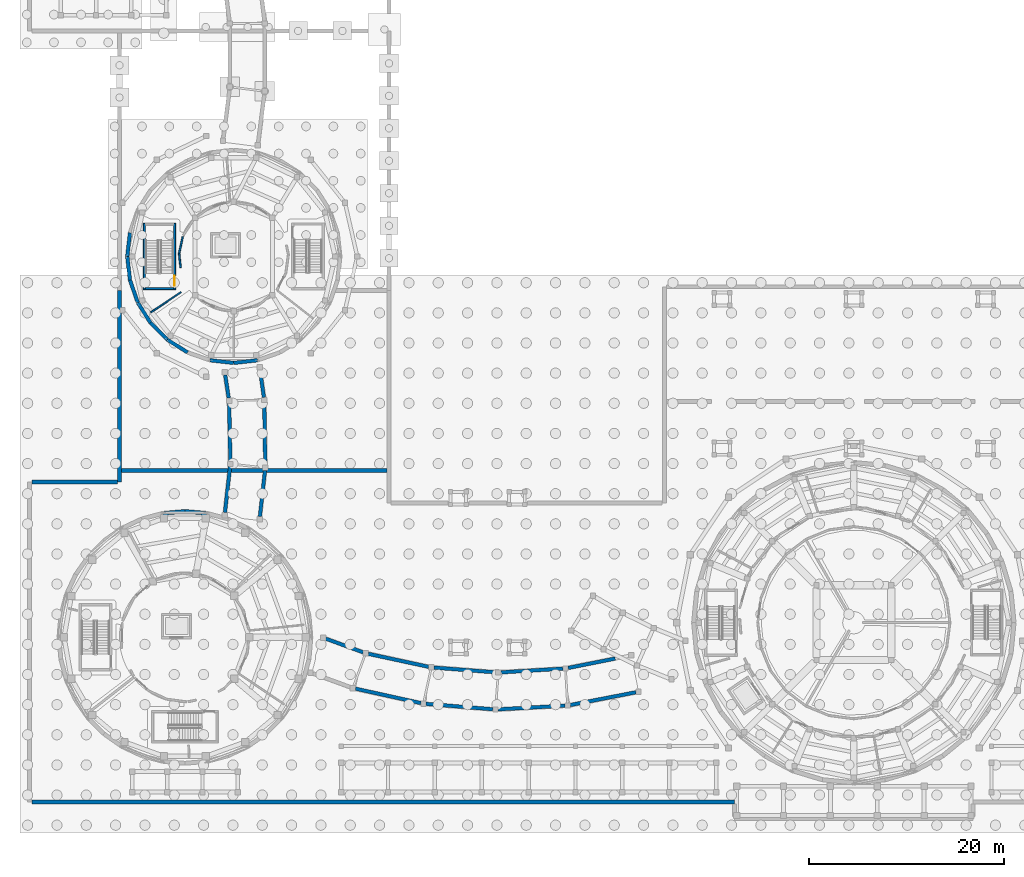
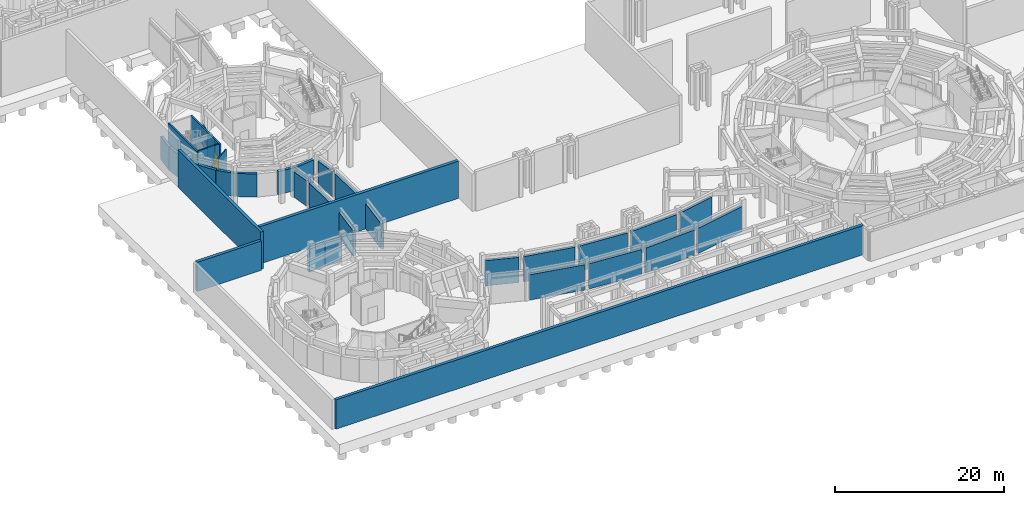
# One storey, part 37 of 57: 35 walls, 1 door, 1 opening.
"""IFC4 building model written with IfcOpenShell, lengths in metres."""

from ifc_helpers import new_model, si_unit, direction, frame, frame_2d, origin, place, context, subcontext, project, spatial, rectangle, extrude, material, layer, layer_set, type_object, element, fill, save


model = new_model("IFC4")

# Units and contexts
model_context = context("Model", 3, precision=1e-05, world=origin(), true_north=direction((0.0, 1.0)))
body_context = subcontext(model_context, "Body", "Model", "MODEL_VIEW")
ifc_project = project(units=[si_unit("LENGTHUNIT", "METRE"), si_unit("AREAUNIT", "SQUARE_METRE"), si_unit("VOLUMEUNIT", "CUBIC_METRE"), si_unit("PLANEANGLEUNIT", "RADIAN"), si_unit("MASSUNIT", "GRAM", prefix="KILO")], contexts=[model_context])

# Site, building, storey
site_placement = place(None, origin())
site = spatial("IfcSite", under=ifc_project, at=site_placement, CompositionType="ELEMENT")
building_placement = place(site_placement, origin())
building = spatial("IfcBuilding", under=site, at=building_placement, Name="Aldenvaro Health Centre", CompositionType="ELEMENT")
storey_placement = place(building_placement, frame((0.0, 0.0, -4.550048828125)))
storey = spatial("IfcBuildingStorey", under=building, at=storey_placement, Name="B1", CompositionType="ELEMENT", Elevation=-4.550048828125)

# Walls
ifc_material_1 = material(Name="Gypsum Stud Acoustic Assembly")
ifc_layer_1 = layer(ifc_material_1, 0.14501953125, Name="Gypsum Stud Acoustic Assembly")
ifc_layer_set_1 = layer_set([ifc_layer_1], Name="Gypsum Stud Acoustic Assembly")
wall_type_1 = type_object("IfcWallType", Name="WL-CLN-145", PredefinedType="PARTITIONING", material=ifc_layer_set_1)
wall_1_placement = place(storey_placement, frame((18.089111328125, 53.85009765625, 0.0), z_axis=(0.0, 0.0, 1.0), x_axis=(-0.828961502122, -0.559305665982, 0.0)))
element("IfcWall", 1, at=wall_1_placement, inside=storey, type_object=wall_type_1, Name="D3 B1 clinical partition 4.1", PredefinedType="PARTITIONING", context=body_context, shape_type="SweptSolid", body=[
    extrude(rectangle(XDim=3.712158203125, YDim=0.14501953125, at=frame_2d((1.85595703125, 0.0))), origin(), (0.0, 0.0, 1.0), 3.31005859375),
])
ifc_layer_2 = layer(ifc_material_1, 0.1650390625, Name="Gypsum Stud Acoustic Assembly")
ifc_layer_set_2 = layer_set([ifc_layer_2], Name="Gypsum Stud Acoustic Assembly")
wall_type_2 = type_object("IfcWallType", Name="WL-COR-165", PredefinedType="PARTITIONING", material=ifc_layer_set_2)
wall_2_placement = place(storey_placement, frame((18.277099609375, 59.52099609375, 0.0), z_axis=(0.0, 0.0, 1.0), x_axis=(-0.209500701014, -0.977808496729, 0.0)))
element("IfcWall", 2, at=wall_2_placement, inside=storey, type_object=wall_type_2, Name="D3 B1 corridor wall 03.1", PredefinedType="PARTITIONING", context=body_context, shape_type="SweptSolid", body=[
    extrude(rectangle(XDim=1.761962890625, YDim=0.1650390625, at=frame_2d((0.880859375, 0.0))), origin(), (0.0, 0.0, 1.0), 3.31005859375),
])
wall_3_placement = place(storey_placement, frame((17.907958984375, 57.798095703125, 0.0), z_axis=(0.0, 0.0, 1.0), x_axis=(0.10446656428, -0.994528399267, 0.0)))
element("IfcWall", 3, at=wall_3_placement, inside=storey, type_object=wall_type_2, Name="D3 B1 corridor wall 03.2", PredefinedType="PARTITIONING", context=body_context, shape_type="SweptSolid", body=[
    extrude(rectangle(XDim=1.4560546875, YDim=0.1650390625, at=frame_2d((0.72802734375, 0.0))), origin(), (0.0, 0.0, 1.0), 3.31005859375),
])
ifc_material_2 = material(Name="Concrete f'c 40 MPa", Category="concrete")
ifc_layer_3 = layer(ifc_material_2, 0.3701171875, Name="Concrete f'c 40 MPa", Category="concrete")
ifc_layer_set_3 = layer_set([ifc_layer_3], Name="Concrete f'c 40 MPa")
wall_type_3 = type_object("IfcWallType", Name="WL-RET-370", PredefinedType="USERDEFINED", material=ifc_layer_set_3)
for number, where, z_axis, x_axis, name in (
    (4, (25.925048828125, 46.873046875, 0.0), (0.0, 0.0, 1.0), (-0.993725340882, -0.111847873866, 0.0), "D3 B1 hillside retaining wall 07"),
    (5, (23.5, 46.60009765625, 0.0), (0.0, 0.0, 1.0), (-0.993725340882, 0.111847873866, 0.0), "D3 B1 hillside retaining wall 08"),
):
    element("IfcWall", number, at=place(storey_placement, frame(where, z_axis=z_axis, x_axis=x_axis)), inside=storey, type_object=wall_type_3, Name=name, ObjectType="RETAININGWALL", PredefinedType="USERDEFINED", context=body_context, shape_type="SweptSolid", body=[
        extrude(rectangle(XDim=2.4404296875, YDim=0.3701171875, at=frame_2d((1.22021484375, 0.0))), origin(), (0.0, 0.0, 1.0), 3.3349609375),
    ])
wall_4_placement = place(storey_placement, frame((18.77099609375, 47.678955078125, 0.0), z_axis=(0.0, 0.0, 1.0), x_axis=(-0.846658434148, 0.532136726684, 0.0)))
element("IfcWall", 6, at=wall_4_placement, inside=storey, type_object=wall_type_3, Name="D3 B1 hillside retaining wall 10", ObjectType="RETAININGWALL", PredefinedType="USERDEFINED", context=body_context, shape_type="SweptSolid", body=[
    extrude(rectangle(XDim=2.441162109375, YDim=0.3701171875, at=frame_2d((1.220703125, 0.0))), origin(), (0.0, 0.0, 1.0), 3.3349609375),
])
wall_5_placement = place(storey_placement, frame((16.7041015625, 48.97802734375, 0.0), z_axis=(0.0, 0.0, 1.0), x_axis=(-0.707106781187, 0.707106781187, 0.0)))
element("IfcWall", 7, at=wall_5_placement, inside=storey, type_object=wall_type_3, Name="D3 B1 hillside retaining wall 11", ObjectType="RETAININGWALL", PredefinedType="USERDEFINED", context=body_context, shape_type="SweptSolid", body=[
    extrude(rectangle(XDim=2.44091796875, YDim=0.3701171875, at=frame_2d((1.220458984375, 0.0))), origin(), (0.0, 0.0, 1.0), 3.3349609375),
])
wall_6_placement = place(storey_placement, frame((14.97802734375, 50.7041015625, 0.0), z_axis=(0.0, 0.0, 1.0), x_axis=(-0.532136726684, 0.846658434148, 0.0)))
element("IfcWall", 8, at=wall_6_placement, inside=storey, type_object=wall_type_3, Name="D3 B1 hillside retaining wall 12", ObjectType="RETAININGWALL", PredefinedType="USERDEFINED", context=body_context, shape_type="SweptSolid", body=[
    extrude(rectangle(XDim=2.441162109375, YDim=0.3701171875, at=frame_2d((1.220703125, 0.0))), origin(), (0.0, 0.0, 1.0), 3.3349609375),
])
wall_7_placement = place(storey_placement, frame((13.678955078125, 52.77099609375, 0.0), z_axis=(0.0, 0.0, 1.0), x_axis=(-0.330176659411, 0.943919156274, 0.0)))
element("IfcWall", 9, at=wall_7_placement, inside=storey, type_object=wall_type_3, Name="D3 B1 hillside retaining wall 13", ObjectType="RETAININGWALL", PredefinedType="USERDEFINED", context=body_context, shape_type="SweptSolid", body=[
    extrude(rectangle(XDim=2.44091796875, YDim=0.3701171875, at=frame_2d((1.220458984375, 0.0))), origin(), (0.0, 0.0, 1.0), 3.3349609375),
])
for number, where, z_axis, x_axis, name in (
    (10, (12.873046875, 55.074951171875, 0.0), (0.0, 0.0, 1.0), (-0.111847873866, 0.993725340882, 0.0), "D3 B1 hillside retaining wall 14"),
    (11, (12.60009765625, 57.5, 0.0), (0.0, 0.0, 1.0), (0.111847873866, 0.993725340882, 0.0), "D3 B1 hillside retaining wall 15"),
):
    element("IfcWall", number, at=place(storey_placement, frame(where, z_axis=z_axis, x_axis=x_axis)), inside=storey, type_object=wall_type_3, Name=name, ObjectType="RETAININGWALL", PredefinedType="USERDEFINED", context=body_context, shape_type="SweptSolid", body=[
        extrude(rectangle(XDim=2.4404296875, YDim=0.3701171875, at=frame_2d((1.22021484375, 0.0))), origin(), (0.0, 0.0, 1.0), 3.3349609375),
    ])
wall_8_placement = place(storey_placement, frame((22.60302734375, 31.300048828125, 0.0), z_axis=(0.0, 0.0, 1.0), x_axis=(0.110573700881, 0.993867927178, 0.0)))
element("IfcWall", 12, at=wall_8_placement, inside=storey, type_object=wall_type_3, Name="West South Curved Garden Walkway Arc 1 B1 retaining wall L.1", ObjectType="RETAININGWALL", PredefinedType="USERDEFINED", context=body_context, shape_type="SweptSolid", body=[
    extrude(rectangle(XDim=4.711669921875, YDim=0.3701171875, at=frame_2d((2.35595703125, 0.0))), origin(), (0.0, 0.0, 1.0), 3.64501953125),
])
wall_9_placement = place(storey_placement, frame((26.178955078125, 30.884033203125, 0.0), z_axis=(0.0, 0.0, 1.0), x_axis=(0.110561824468, 0.993869248428, 0.0)))
element("IfcWall", 13, at=wall_9_placement, inside=storey, type_object=wall_type_3, Name="West South Curved Garden Walkway Arc 1 B1 retaining wall R.1", ObjectType="RETAININGWALL", PredefinedType="USERDEFINED", context=body_context, shape_type="SweptSolid", body=[
    extrude(rectangle(XDim=4.72998046875, YDim=0.3701171875, at=frame_2d((2.364990234375, 0.0))), origin(), (0.0, 0.0, 1.0), 3.64501953125),
])
wall_10_placement = place(storey_placement, frame((23.14892578125, 36.531005859375, 0.0), z_axis=(0.0, 0.0, 1.0), x_axis=(-0.019867714319, 0.999802617484, 0.0)))
element("IfcWall", 14, at=wall_10_placement, inside=storey, type_object=wall_type_3, Name="West South Curved Garden Walkway Arc 2 B1 retaining wall L.1", ObjectType="RETAININGWALL", PredefinedType="USERDEFINED", context=body_context, shape_type="SweptSolid", body=[
    extrude(rectangle(XDim=5.935302734375, YDim=0.3701171875, at=frame_2d((2.9677734375, 0.0))), origin(), (0.0, 0.0, 1.0), 3.64501953125),
])
wall_11_placement = place(storey_placement, frame((26.72802734375, 36.133056640625, 0.0), z_axis=(0.0, 0.0, 1.0), x_axis=(-0.015347562128, 0.999882219232, 0.0)))
element("IfcWall", 15, at=wall_11_placement, inside=storey, type_object=wall_type_3, Name="West South Curved Garden Walkway Arc 2 B1 retaining wall R.1", ObjectType="RETAININGWALL", PredefinedType="USERDEFINED", context=body_context, shape_type="SweptSolid", body=[
    extrude(rectangle(XDim=6.394775390625, YDim=0.3701171875, at=frame_2d((3.197265625, 0.0))), origin(), (0.0, 0.0, 1.0), 3.64501953125),
])
wall_12_placement = place(storey_placement, frame((22.985107421875, 43.011962890625, 0.0), z_axis=(0.0, 0.0, 1.0), x_axis=(-0.1499789487, 0.988689190265, 0.0)))
element("IfcWall", 16, at=wall_12_placement, inside=storey, type_object=wall_type_3, Name="West South Curved Garden Walkway Arc 3 B1 retaining wall L.1", ObjectType="RETAININGWALL", PredefinedType="USERDEFINED", context=body_context, shape_type="SweptSolid", body=[
    extrude(rectangle(XDim=2.375, YDim=0.3701171875, at=frame_2d((1.1875, 0.0))), origin(), (0.0, 0.0, 1.0), 3.64501953125),
])
wall_13_placement = place(storey_placement, frame((26.5869140625, 43.073974609375, 0.0), z_axis=(0.0, 0.0, 1.0), x_axis=(-0.140312540229, 0.990107262399, 0.0)))
element("IfcWall", 17, at=wall_13_placement, inside=storey, type_object=wall_type_3, Name="West South Curved Garden Walkway Arc 3 B1 retaining wall R.1", ObjectType="RETAININGWALL", PredefinedType="USERDEFINED", context=body_context, shape_type="SweptSolid", body=[
    extrude(rectangle(XDim=2.836181640625, YDim=0.3701171875, at=frame_2d((1.41796875, 0.0))), origin(), (0.0, 0.0, 1.0), 3.64501953125),
])
wall_14_placement = place(storey_placement, frame((32.923095703125, 18.363037109375, 0.0), z_axis=(0.0, 0.0, 1.0), x_axis=(0.939158229155, -0.343484818603, 0.0)))
element("IfcWall", 18, at=wall_14_placement, inside=storey, type_object=wall_type_3, Name="South West Curved Peristyle Walkway Arc 1 B1 retaining wall L.1", ObjectType="RETAININGWALL", PredefinedType="USERDEFINED", context=body_context, shape_type="SweptSolid", body=[
    extrude(rectangle(XDim=4.07275390625, YDim=0.3701171875, at=frame_2d((2.036376953125, 0.0))), origin(), (0.0, 0.0, 1.0), 3.64501953125),
])
wall_15_placement = place(storey_placement, frame((37.27490234375, 16.81103515625, 0.0), z_axis=(0.0, 0.0, 1.0), x_axis=(0.97757225988, -0.210600277096, 0.0)))
element("IfcWall", 19, at=wall_15_placement, inside=storey, type_object=wall_type_3, Name="South West Curved Peristyle Walkway Arc 2 B1 retaining wall L.1", ObjectType="RETAININGWALL", PredefinedType="USERDEFINED", context=body_context, shape_type="SweptSolid", body=[
    extrude(rectangle(XDim=6.334228515625, YDim=0.3701171875, at=frame_2d((3.1669921875, 0.0))), origin(), (0.0, 0.0, 1.0), 3.64501953125),
])
wall_16_placement = place(storey_placement, frame((35.968994140625, 13.241943359375, 0.0), z_axis=(0.0, 0.0, 1.0), x_axis=(0.97650723002, -0.215484639172, 0.0)))
element("IfcWall", 20, at=wall_16_placement, inside=storey, type_object=wall_type_3, Name="South West Curved Peristyle Walkway Arc 2 B1 retaining wall R.1", ObjectType="RETAININGWALL", PredefinedType="USERDEFINED", context=body_context, shape_type="SweptSolid", body=[
    extrude(rectangle(XDim=6.848876953125, YDim=0.3701171875, at=frame_2d((3.42431640625, 0.0))), origin(), (0.0, 0.0, 1.0), 3.64501953125),
])
wall_17_placement = place(storey_placement, frame((44.010009765625, 15.39794921875, 0.0), z_axis=(0.0, 0.0, 1.0), x_axis=(0.997123914893, -0.075788510658, 0.0)))
element("IfcWall", 21, at=wall_17_placement, inside=storey, type_object=wall_type_3, Name="South West Curved Peristyle Walkway Arc 3 B1 retaining wall L.1", ObjectType="RETAININGWALL", PredefinedType="USERDEFINED", context=body_context, shape_type="SweptSolid", body=[
    extrude(rectangle(XDim=6.333251953125, YDim=0.3701171875, at=frame_2d((3.16650390625, 0.0))), origin(), (0.0, 0.0, 1.0), 3.64501953125),
])
wall_18_placement = place(storey_placement, frame((43.199951171875, 11.68505859375, 0.0), z_axis=(0.0, 0.0, 1.0), x_axis=(0.996724312957, -0.080874247822, 0.0)))
element("IfcWall", 22, at=wall_18_placement, inside=storey, type_object=wall_type_3, Name="South West Curved Peristyle Walkway Arc 3 B1 retaining wall R.1", ObjectType="RETAININGWALL", PredefinedType="USERDEFINED", context=body_context, shape_type="SweptSolid", body=[
    extrude(rectangle(XDim=6.849609375, YDim=0.3701171875, at=frame_2d((3.4248046875, 0.0))), origin(), (0.0, 0.0, 1.0), 3.64501953125),
])
wall_19_placement = place(storey_placement, frame((50.8740234375, 14.9140625, 0.0), z_axis=(0.0, 0.0, 1.0), x_axis=(0.998199541019, 0.05998063278, 0.0)))
element("IfcWall", 23, at=wall_19_placement, inside=storey, type_object=wall_type_3, Name="South West Curved Peristyle Walkway Arc 4 B1 retaining wall L.1", ObjectType="RETAININGWALL", PredefinedType="USERDEFINED", context=body_context, shape_type="SweptSolid", body=[
    extrude(rectangle(XDim=6.33349609375, YDim=0.3701171875, at=frame_2d((3.166748046875, 0.0))), origin(), (0.0, 0.0, 1.0), 3.64501953125),
])
wall_20_placement = place(storey_placement, frame((50.575927734375, 11.1240234375, 0.0), z_axis=(0.0, 0.0, 1.0), x_axis=(0.998476216837, 0.055183733217, 0.0)))
element("IfcWall", 24, at=wall_20_placement, inside=storey, type_object=wall_type_3, Name="South West Curved Peristyle Walkway Arc 4 B1 retaining wall R.1", ObjectType="RETAININGWALL", PredefinedType="USERDEFINED", context=body_context, shape_type="SweptSolid", body=[
    extrude(rectangle(XDim=6.8486328125, YDim=0.3701171875, at=frame_2d((3.42431640625, 0.0))), origin(), (0.0, 0.0, 1.0), 3.64501953125),
])
wall_21_placement = place(storey_placement, frame((57.740966796875, 15.364990234375, 0.0), z_axis=(0.0, 0.0, 1.0), x_axis=(0.980813339082, 0.194949208458, 0.0)))
element("IfcWall", 25, at=wall_21_placement, inside=storey, type_object=wall_type_3, Name="South West Curved Peristyle Walkway Arc 5 B1 retaining wall L.1", ObjectType="RETAININGWALL", PredefinedType="USERDEFINED", context=body_context, shape_type="SweptSolid", body=[
    extrude(rectangle(XDim=4.9091796875, YDim=0.3701171875, at=frame_2d((2.45458984375, 0.0))), origin(), (0.0, 0.0, 1.0), 3.64501953125),
])
wall_22_placement = place(storey_placement, frame((57.958984375, 11.569091796875, 0.0), z_axis=(0.0, 0.0, 1.0), x_axis=(0.981716525026, 0.190348796927, 0.0)))
element("IfcWall", 26, at=wall_22_placement, inside=storey, type_object=wall_type_3, Name="South West Curved Peristyle Walkway Arc 5 B1 retaining wall R.1", ObjectType="RETAININGWALL", PredefinedType="USERDEFINED", context=body_context, shape_type="SweptSolid", body=[
    extrude(rectangle(XDim=6.850341796875, YDim=0.3701171875, at=frame_2d((3.42529296875, 0.0))), origin(), (0.0, 0.0, 1.0), 3.64501953125),
])
ifc_layer_4 = layer(ifc_material_2, 0.39990234375, Name="Concrete f'c 40 MPa", Category="concrete")
ifc_layer_set_4 = layer_set([ifc_layer_4], Name="Concrete f'c 40 MPa")
wall_type_4 = type_object("IfcWallType", Name="WL-RET-400", PredefinedType="USERDEFINED", material=ifc_layer_set_4)
for number, where, z_axis, x_axis, name in (
    (27, (16.260009765625, 31.2041015625, 0.0), (0.0, 0.0, 1.0), (0.996201374201, 0.087079400775, 0.0), "D5 B1 hillside retaining wall 27"),
    (28, (18.5, 31.39990234375, 0.0), (0.0, 0.0, 1.0), (0.996201374201, -0.087079400775, 0.0), "D5 B1 hillside retaining wall 28"),
):
    element("IfcWall", number, at=place(storey_placement, frame(where, z_axis=z_axis, x_axis=x_axis)), inside=storey, type_object=wall_type_4, Name=name, ObjectType="RETAININGWALL", PredefinedType="USERDEFINED", context=body_context, shape_type="SweptSolid", body=[
        extrude(rectangle(XDim=2.24853515625, YDim=0.39990234375, at=frame_2d((1.124267578125, 0.0))), origin(), (0.0, 0.0, 1.0), 3.318115234375),
    ])
wall_23_placement = place(storey_placement, frame((11.800048828125, 34.39990234375, 0.0), z_axis=(0.0, 0.0, 1.0), x_axis=(0.0, 1.0, 0.0)))
element("IfcWall", 29, at=wall_23_placement, inside=storey, type_object=wall_type_4, Name="Stepped Foothill Retaining Wall T2F-W-00", ObjectType="RETAININGWALL", PredefinedType="USERDEFINED", context=body_context, shape_type="SweptSolid", body=[
    extrude(rectangle(XDim=19.60009765625, YDim=0.39990234375, at=frame_2d((9.800048828125, 0.0))), origin(), (0.0, 0.0, 1.0), 5.380126953125),
])
wall_24_placement = place(storey_placement, frame((2.823974609375, 1.64990234375, 0.0), z_axis=(0.0, 0.0, 1.0), x_axis=(1.0, 0.0, 0.0)))
element("IfcWall", 30, at=wall_24_placement, inside=storey, type_object=wall_type_4, Name="Stepped Foothill Retaining Wall T1S-SW-00", ObjectType="RETAININGWALL", PredefinedType="USERDEFINED", context=body_context, shape_type="SweptSolid", body=[
    extrude(rectangle(XDim=71.97607421875, YDim=0.39990234375, at=frame_2d((35.988037109375, 0.0))), origin(), (0.0, 0.0, 1.0), 4.22998046875),
])
wall_25_placement = place(storey_placement, frame((2.823974609375, 34.39990234375, 0.0), z_axis=(0.0, 0.0, 1.0), x_axis=(1.0, 0.0, 0.0)))
element("IfcWall", 31, at=wall_25_placement, inside=storey, type_object=wall_type_4, Name="Stepped Foothill Retaining Wall T1S-NWJ-00", ObjectType="RETAININGWALL", PredefinedType="USERDEFINED", context=body_context, shape_type="SweptSolid", body=[
    extrude(rectangle(XDim=8.751953125, YDim=0.39990234375, at=frame_2d((4.3759765625, 0.0))), origin(), (0.0, 0.0, 1.0), 4.22998046875),
])
wall_26_placement = place(storey_placement, frame((12.02392578125, 35.60009765625, 0.0), z_axis=(0.0, 0.0, 1.0), x_axis=(1.0, 0.0, 0.0)))
element("IfcWall", 32, at=wall_26_placement, inside=storey, type_object=wall_type_4, Name="Stepped Foothill Retaining Wall T2F-SW-00", ObjectType="RETAININGWALL", PredefinedType="USERDEFINED", context=body_context, shape_type="SweptSolid", body=[
    extrude(rectangle(XDim=27.152099609375, YDim=0.39990234375, at=frame_2d((13.576171875, 0.0))), origin(), (0.0, 0.0, 1.0), 5.380126953125),
])

# Wall, opening, door
ifc_layer_5 = layer(ifc_material_2, 0.199951171875, Name="Concrete f'c 40 MPa", Category="concrete")
ifc_layer_set_5 = layer_set([ifc_layer_5], Name="Concrete f'c 40 MPa")
wall_type_5 = type_object("IfcWallType", Name="WL-SHAFT-200", PredefinedType="SHEAR", material=ifc_layer_set_5)
wall_27_placement = place(storey_placement, frame((17.449951171875, 54.10009765625, 0.0), z_axis=(0.0, 0.0, 1.0), x_axis=(0.0, 1.0, 0.0)))
wall_27 = element("IfcWall", 33, at=wall_27_placement, inside=storey, type_object=wall_type_5, Name="ST-06 B1 inner core wall", PredefinedType="SHEAR", context=body_context, shape_type="SweptSolid", body=[
    extrude(rectangle(XDim=6.7998046875, YDim=0.199951171875, at=frame_2d((3.39990234375, 0.0))), origin(), (0.0, 0.0, 1.0), 4.135009765625),
])
opening_placement = place(wall_27_placement, frame((0.3798828125, 0.0, 0.0)))
opening = element("IfcOpeningElement", 34, at=opening_placement, cuts=wall_27, Name="Opening FD-02", PredefinedType="OPENING", context=body_context, shape_type="SweptSolid", body=[
    extrude(rectangle(XDim=1.050048828125, YDim=2.14990234375, at=frame_2d((0.52490234375, 1.074951171875))), frame((0.0, 0.10986328125, 0.0), z_axis=(0.0, -1.0, 0.0), x_axis=(1.0, 0.0, 0.0)), (0.0, 0.0, 1.0), 0.219970703125),
])
ifc_material_3 = material(Name="Fire-Rated Steel Door Assembly", Category="steel")
door_type = type_object("IfcDoorType", Name="DR-STAIR-105", OperationType="NOTDEFINED", PredefinedType="DOOR", material=ifc_material_3)
door_placement = place(opening_placement, origin())
door = element("IfcDoor", 35, at=door_placement, inside=storey, type_object=door_type, Name="ST-06 B1 fire stair door", OperationType="SINGLE_SWING_RIGHT", OverallHeight=2.14990234375, OverallWidth=1.050048828125, PredefinedType="DOOR", context=body_context, shape_type="SweptSolid", body=[
    extrude(rectangle(XDim=1.050048828125, YDim=2.14990234375, at=frame_2d((0.52490234375, 1.074951171875))), frame((0.0, 0.02490234375, 0.0), z_axis=(0.0, -1.0, 0.0), x_axis=(1.0, 0.0, 0.0)), (0.0, 0.0, 1.0), 0.050048828125),
])
fill(opening, door)

# Walls
wall_28_placement = place(storey_placement, frame((14.35009765625, 54.10009765625, 0.0), z_axis=(0.0, 0.0, 1.0), x_axis=(0.0, 1.0, 0.0)))
element("IfcWall", 36, at=wall_28_placement, inside=storey, type_object=wall_type_5, Name="ST-06 B1 far core wall", PredefinedType="SHEAR", context=body_context, shape_type="SweptSolid", body=[
    extrude(rectangle(XDim=6.7998046875, YDim=0.199951171875, at=frame_2d((3.39990234375, 0.0))), origin(), (0.0, 0.0, 1.0), 4.135009765625),
])
wall_29_placement = place(storey_placement, frame((17.35009765625, 54.199951171875, 0.0), z_axis=(0.0, 0.0, 1.0), x_axis=(-1.0, 0.0, 0.0)))
element("IfcWall", 37, at=wall_29_placement, inside=storey, type_object=wall_type_5, Name="ST-06 B1 side core wall L", PredefinedType="SHEAR", context=body_context, shape_type="SweptSolid", body=[
    extrude(rectangle(XDim=2.900146484375, YDim=0.199951171875, at=frame_2d((1.4501953125, 0.0))), origin(), (0.0, 0.0, 1.0), 4.135009765625),
])

save(model, "model.ifc")
